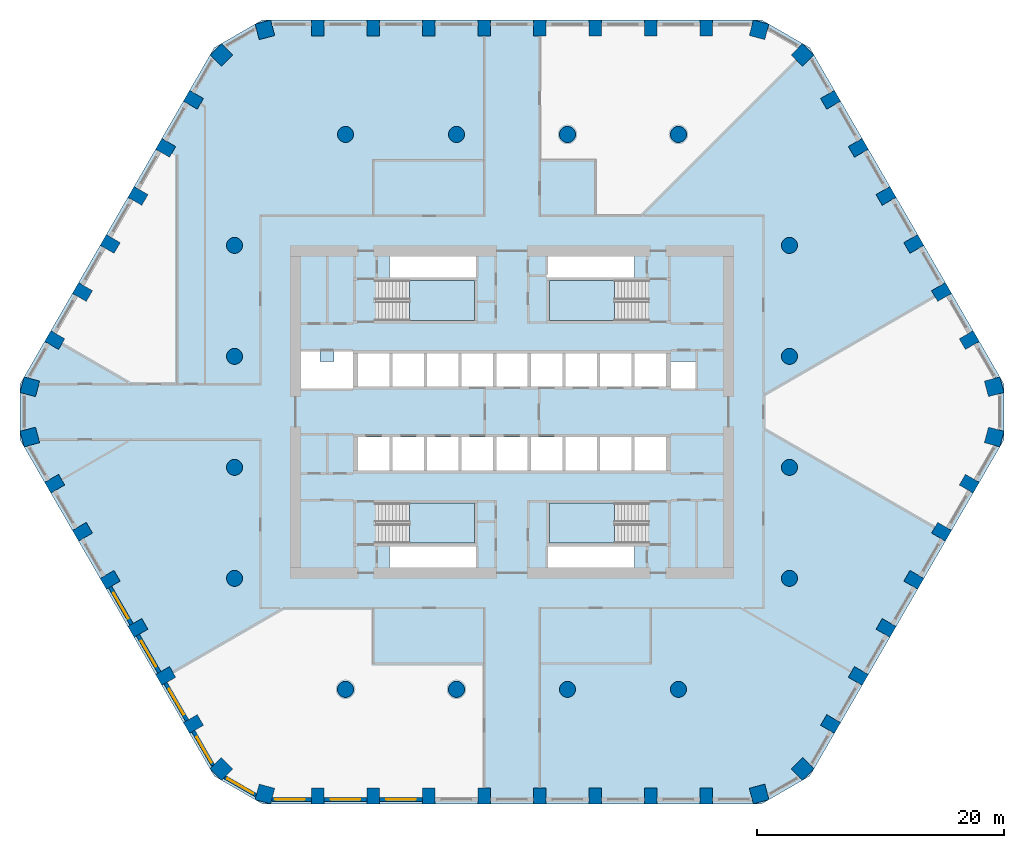
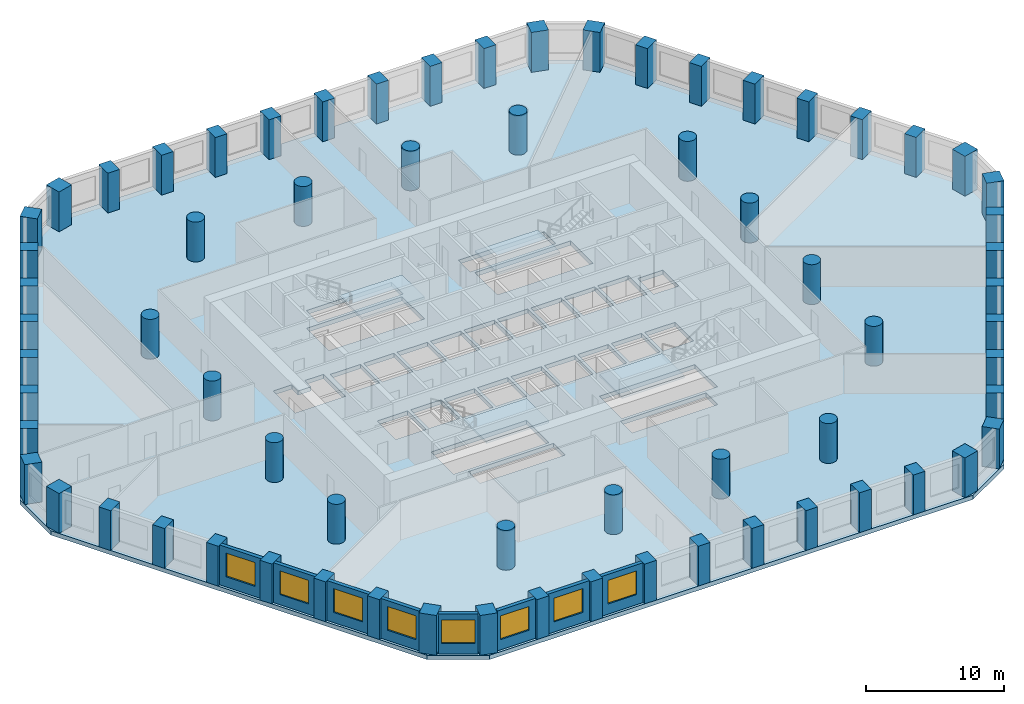
# One storey, part 1 of 14: 68 columns, 8 walls, 8 windows, 5 slabs, 8 openings, 4 elements without a shape of their own.
"""IFC4 building model written with IfcOpenShell, lengths in metres."""

from ifc_helpers import new_model, si_unit, direction, frame, frame_2d, origin, origin_2d, place, context, subcontext, project, spatial, polyline, rectangle, circle, outline, extrude, material, layer, layer_set, material_profile, profile_set, type_object, element, fill, aggregate, save


model = new_model("IFC4")

# Units and contexts
model_context = context("Model", 3, precision=1e-05, world=origin(), true_north=direction((0.0, 1.0)))
body_context = subcontext(model_context, "Body", "Model", "MODEL_VIEW")
ifc_project = project(units=[si_unit("LENGTHUNIT", "METRE"), si_unit("AREAUNIT", "SQUARE_METRE"), si_unit("VOLUMEUNIT", "CUBIC_METRE"), si_unit("PLANEANGLEUNIT", "RADIAN"), si_unit("MASSUNIT", "GRAM", prefix="KILO")], contexts=[model_context])

# Site, building, storey
site_placement = place(None, origin())
site = spatial("IfcSite", under=ifc_project, at=site_placement, CompositionType="ELEMENT")
building_placement = place(site_placement, origin())
building = spatial("IfcBuilding", under=site, at=building_placement, Name="Dhurran Vertical Campus", CompositionType="ELEMENT")
storey_placement = place(building_placement, frame((0.0, 0.0, 96.89990234375)))
storey = spatial("IfcBuildingStorey", under=building, at=storey_placement, Name="L23", CompositionType="ELEMENT", Elevation=96.89990234375)

# Columns
ifc_material_1 = material(Name="Concrete C60/75", Category="concrete")
ifc_material_profile_1 = material_profile(ifc_material_1, rectangle(XDim=1.0, YDim=1.300048828125, at=origin_2d()), Name="RC 1000x1300")
ifc_profile_set_1 = profile_set([ifc_material_profile_1], Name="Concrete C60/75")
column_type_1 = type_object("IfcColumnType", Name="FR COL RC 1000x1300 C60/75", PredefinedType="COLUMN", material=ifc_profile_set_1)
for number, where, z_axis, x_axis, name in (
    (1, (-15.75, -31.1298828125, 0.0), (0.0, 0.0, 1.0), (1.0, 0.0, 0.0), "Perimeter pier PP2.01"),
    (2, (-11.25, -31.1298828125, 0.0), (0.0, 0.0, 1.0), (1.0, 0.0, 0.0), "Perimeter pier PP2.02"),
    (3, (-6.75, -31.1298828125, 0.0), (0.0, 0.0, 1.0), (1.0, 0.0, 0.0), "Perimeter pier PP2.03"),
    (4, (-2.25, -31.1298828125, 0.0), (0.0, 0.0, 1.0), (1.0, 0.0, 0.0), "Perimeter pier PP2.04"),
    (5, (2.25, -31.1298828125, 0.0), (0.0, 0.0, 1.0), (1.0, 0.0, 0.0), "Perimeter pier PP2.05"),
    (6, (6.75, -31.1298828125, 0.0), (0.0, 0.0, 1.0), (1.0, 0.0, 0.0), "Perimeter pier PP2.06"),
    (7, (11.25, -31.1298828125, 0.0), (0.0, 0.0, 1.0), (1.0, 0.0, 0.0), "Perimeter pier PP2.07"),
    (8, (15.75, -31.1298828125, 0.0), (0.0, 0.0, 1.0), (1.0, 0.0, 0.0), "Perimeter pier PP2.08"),
    (9, (25.834228515625, -25.3076171875, 0.0), (0.0, 0.0, 1.0), (0.5, 0.866025403784, 0.0), "Perimeter pier PP2.11"),
    (10, (28.084228515625, -21.41064453125, 0.0), (0.0, 0.0, 1.0), (0.5, 0.866025403784, 0.0), "Perimeter pier PP2.12"),
    (11, (30.334228515625, -17.513427734375, 0.0), (0.0, 0.0, 1.0), (0.5, 0.866025403784, 0.0), "Perimeter pier PP2.13"),
    (12, (32.584228515625, -13.6162109375, 0.0), (0.0, 0.0, 1.0), (0.5, 0.866025403784, 0.0), "Perimeter pier PP2.14"),
    (13, (34.834228515625, -9.71923828125, 0.0), (0.0, 0.0, 1.0), (0.5, 0.866025403784, 0.0), "Perimeter pier PP2.15"),
    (14, (37.084228515625, -5.822021484375, 0.0), (0.0, 0.0, 1.0), (0.5, 0.866025403784, 0.0), "Perimeter pier PP2.16"),
    (15, (37.084228515625, 5.822021484375, 0.0), (0.0, 0.0, 1.0), (-0.5, 0.866025403784, 0.0), "Perimeter pier PP2.19"),
    (16, (34.834228515625, 9.71923828125, 0.0), (0.0, 0.0, 1.0), (-0.5, 0.866025403784, 0.0), "Perimeter pier PP2.20"),
    (17, (32.584228515625, 13.6162109375, 0.0), (0.0, 0.0, 1.0), (-0.5, 0.866025403784, 0.0), "Perimeter pier PP2.21"),
    (18, (30.334228515625, 17.513427734375, 0.0), (0.0, 0.0, 1.0), (-0.5, 0.866025403784, 0.0), "Perimeter pier PP2.22"),
    (19, (28.084228515625, 21.41064453125, 0.0), (0.0, 0.0, 1.0), (-0.5, 0.866025403784, 0.0), "Perimeter pier PP2.23"),
    (20, (25.834228515625, 25.3076171875, 0.0), (0.0, 0.0, 1.0), (-0.5, 0.866025403784, 0.0), "Perimeter pier PP2.24"),
    (21, (15.75, 31.1298828125, 0.0), (0.0, 0.0, 1.0), (-1.0, 0.0, 0.0), "Perimeter pier PP2.27"),
    (22, (11.25, 31.1298828125, 0.0), (0.0, 0.0, 1.0), (-1.0, 0.0, 0.0), "Perimeter pier PP2.28"),
    (23, (6.75, 31.1298828125, 0.0), (0.0, 0.0, 1.0), (-1.0, 0.0, 0.0), "Perimeter pier PP2.29"),
    (24, (2.25, 31.1298828125, 0.0), (0.0, 0.0, 1.0), (-1.0, 0.0, 0.0), "Perimeter pier PP2.30"),
    (25, (-2.25, 31.1298828125, 0.0), (0.0, 0.0, 1.0), (-1.0, 0.0, 0.0), "Perimeter pier PP2.31"),
    (26, (-6.75, 31.1298828125, 0.0), (0.0, 0.0, 1.0), (-1.0, 0.0, 0.0), "Perimeter pier PP2.32"),
    (27, (-11.25, 31.1298828125, 0.0), (0.0, 0.0, 1.0), (-1.0, 0.0, 0.0), "Perimeter pier PP2.33"),
    (28, (-15.75, 31.1298828125, 0.0), (0.0, 0.0, 1.0), (-1.0, 0.0, 0.0), "Perimeter pier PP2.34"),
    (29, (-25.834228515625, 25.3076171875, 0.0), (0.0, 0.0, 1.0), (-0.5, -0.866025403784, 0.0), "Perimeter pier PP2.37"),
    (30, (-28.084228515625, 21.41064453125, 0.0), (0.0, 0.0, 1.0), (-0.5, -0.866025403784, 0.0), "Perimeter pier PP2.38"),
    (31, (-30.334228515625, 17.513427734375, 0.0), (0.0, 0.0, 1.0), (-0.5, -0.866025403784, 0.0), "Perimeter pier PP2.39"),
    (32, (-32.584228515625, 13.6162109375, 0.0), (0.0, 0.0, 1.0), (-0.5, -0.866025403784, 0.0), "Perimeter pier PP2.40"),
    (33, (-34.834228515625, 9.71923828125, 0.0), (0.0, 0.0, 1.0), (-0.5, -0.866025403784, 0.0), "Perimeter pier PP2.41"),
    (34, (-37.084228515625, 5.822021484375, 0.0), (0.0, 0.0, 1.0), (-0.5, -0.866025403784, 0.0), "Perimeter pier PP2.42"),
    (35, (-37.084228515625, -5.822021484375, 0.0), (0.0, 0.0, 1.0), (0.5, -0.866025403784, 0.0), "Perimeter pier PP2.45"),
    (36, (-34.834228515625, -9.71923828125, 0.0), (0.0, 0.0, 1.0), (0.5, -0.866025403784, 0.0), "Perimeter pier PP2.46"),
    (37, (-32.584228515625, -13.6162109375, 0.0), (0.0, 0.0, 1.0), (0.5, -0.866025403784, 0.0), "Perimeter pier PP2.47"),
    (38, (-30.334228515625, -17.513427734375, 0.0), (0.0, 0.0, 1.0), (0.5, -0.866025403784, 0.0), "Perimeter pier PP2.48"),
    (39, (-28.084228515625, -21.41064453125, 0.0), (0.0, 0.0, 1.0), (0.5, -0.866025403784, 0.0), "Perimeter pier PP2.49"),
    (40, (-25.834228515625, -25.3076171875, 0.0), (0.0, 0.0, 1.0), (0.5, -0.866025403784, 0.0), "Perimeter pier PP2.50"),
):
    element("IfcColumn", number, at=place(storey_placement, frame(where, z_axis=z_axis, x_axis=x_axis)), inside=storey, type_object=column_type_1, Name=name, PredefinedType="COLUMN", context=body_context, shape_type="SweptSolid", body=[
        extrude(rectangle(XDim=1.0, YDim=1.300048828125, at=origin_2d()), origin(), (0.0, 0.0, 1.0), 3.525146484375),
    ])
ifc_material_2 = material(Name="Concrete C60/75", Category="concrete")
ifc_material_profile_2 = material_profile(ifc_material_2, rectangle(XDim=1.300048828125, YDim=1.300048828125, at=origin_2d()), Name="RC 1300x1300")
ifc_profile_set_2 = profile_set([ifc_material_profile_2], Name="Concrete C60/75")
column_type_2 = type_object("IfcColumnType", Name="FR COL RC 1300x1300 C60/75", PredefinedType="COLUMN", material=ifc_profile_set_2)
for number, where, z_axis, x_axis, name in (
    (41, (-20.03662109375, -30.983642578125, 0.0), (0.0, 0.0, 1.0), (0.965925826289, -0.258819045103, 0.0), "Perimeter pier PP2.00"),
    (42, (20.03662109375, -30.983642578125, 0.0), (0.0, 0.0, 1.0), (0.965925826289, 0.258819045103, 0.0), "Perimeter pier PP2.09"),
    (43, (23.564208984375, -28.947021484375, 0.0), (0.0, 0.0, 1.0), (0.707106781187, 0.707106781187, 0.0), "Perimeter pier PP2.10"),
    (44, (39.10107421875, -2.03662109375, 0.0), (0.0, 0.0, 1.0), (0.258819045103, 0.965925826289, 0.0), "Perimeter pier PP2.17"),
    (45, (39.10107421875, 2.03662109375, 0.0), (0.0, 0.0, 1.0), (-0.258819045103, 0.965925826289, 0.0), "Perimeter pier PP2.18"),
    (46, (23.564208984375, 28.947021484375, 0.0), (0.0, 0.0, 1.0), (-0.707106781187, 0.707106781187, 0.0), "Perimeter pier PP2.25"),
    (47, (20.03662109375, 30.983642578125, 0.0), (0.0, 0.0, 1.0), (-0.965925826289, 0.258819045103, 0.0), "Perimeter pier PP2.26"),
    (48, (-20.03662109375, 30.983642578125, 0.0), (0.0, 0.0, 1.0), (-0.965925826289, -0.258819045103, 0.0), "Perimeter pier PP2.35"),
    (49, (-23.564208984375, 28.947021484375, 0.0), (0.0, 0.0, 1.0), (-0.707106781187, -0.707106781187, 0.0), "Perimeter pier PP2.36"),
    (50, (-39.10107421875, 2.03662109375, 0.0), (0.0, 0.0, 1.0), (-0.258819045103, -0.965925826289, 0.0), "Perimeter pier PP2.43"),
    (51, (-39.10107421875, -2.03662109375, 0.0), (0.0, 0.0, 1.0), (0.258819045103, -0.965925826289, 0.0), "Perimeter pier PP2.44"),
    (52, (-23.564208984375, -28.947021484375, 0.0), (0.0, 0.0, 1.0), (0.707106781187, -0.707106781187, 0.0), "Perimeter pier PP2.51"),
):
    element("IfcColumn", number, at=place(storey_placement, frame(where, z_axis=z_axis, x_axis=x_axis)), inside=storey, type_object=column_type_2, Name=name, PredefinedType="COLUMN", context=body_context, shape_type="SweptSolid", body=[
        extrude(rectangle(XDim=1.300048828125, YDim=1.300048828125, at=origin_2d()), origin(), (0.0, 0.0, 1.0), 3.525146484375),
    ])
ifc_material_3 = material(Name="Concrete C60/75", Category="concrete")
ifc_material_profile_3 = material_profile(ifc_material_3, circle(Radius=0.64990234375, at=origin_2d()), Name="RCC D1300")
ifc_profile_set_3 = profile_set([ifc_material_profile_3], Name="Concrete C60/75")
column_type_3 = type_object("IfcColumnType", Name="FR COL RCC D1300 C60/75", PredefinedType="COLUMN", material=ifc_profile_set_3)
for number, where, z_axis, x_axis, name in (
    (53, (-22.5, -13.5, 0.0), (0.0, 0.0, 1.0), (1.0, 0.0, 0.0), "Inner column IC2-D4"),
    (54, (-22.5, -4.5, 0.0), (0.0, 0.0, 1.0), (1.0, 0.0, 0.0), "Inner column IC2-D5"),
    (55, (-22.5, 4.5, 0.0), (0.0, 0.0, 1.0), (1.0, 0.0, 0.0), "Inner column IC2-D6"),
    (56, (-22.5, 13.5, 0.0), (0.0, 0.0, 1.0), (1.0, 0.0, 0.0), "Inner column IC2-D7"),
    (57, (-13.5, -22.5, 0.0), (0.0, 0.0, 1.0), (1.0, 0.0, 0.0), "Inner column IC2-E3"),
    (58, (-13.5, 22.5, 0.0), (0.0, 0.0, 1.0), (1.0, 0.0, 0.0), "Inner column IC2-E8"),
    (59, (-4.5, -22.5, 0.0), (0.0, 0.0, 1.0), (1.0, 0.0, 0.0), "Inner column IC2-F3"),
    (60, (-4.5, 22.5, 0.0), (0.0, 0.0, 1.0), (1.0, 0.0, 0.0), "Inner column IC2-F8"),
    (61, (4.5, -22.5, 0.0), (0.0, 0.0, 1.0), (1.0, 0.0, 0.0), "Inner column IC2-G3"),
    (62, (4.5, 22.5, 0.0), (0.0, 0.0, 1.0), (1.0, 0.0, 0.0), "Inner column IC2-G8"),
    (63, (13.5, -22.5, 0.0), (0.0, 0.0, 1.0), (1.0, 0.0, 0.0), "Inner column IC2-H3"),
    (64, (13.5, 22.5, 0.0), (0.0, 0.0, 1.0), (1.0, 0.0, 0.0), "Inner column IC2-H8"),
    (65, (22.5, -13.5, 0.0), (0.0, 0.0, 1.0), (1.0, 0.0, 0.0), "Inner column IC2-J4"),
    (66, (22.5, -4.5, 0.0), (0.0, 0.0, 1.0), (1.0, 0.0, 0.0), "Inner column IC2-J5"),
    (67, (22.5, 4.5, 0.0), (0.0, 0.0, 1.0), (1.0, 0.0, 0.0), "Inner column IC2-J6"),
    (68, (22.5, 13.5, 0.0), (0.0, 0.0, 1.0), (1.0, 0.0, 0.0), "Inner column IC2-J7"),
):
    element("IfcColumn", number, at=place(storey_placement, frame(where, z_axis=z_axis, x_axis=x_axis)), inside=storey, type_object=column_type_3, Name=name, PredefinedType="COLUMN", context=body_context, shape_type="SweptSolid", body=[
        extrude(circle(Radius=0.64990234375, at=origin_2d()), origin(), (0.0, 0.0, 1.0), 3.525146484375),
    ])

# Slab
ifc_material_4 = material(Name="Concrete C40/50", Category="concrete")
ifc_layer_1 = layer(ifc_material_4, 0.375)
ifc_layer_set_1 = layer_set([ifc_layer_1], Name="Concrete C40/50")
slab_type_1 = type_object("IfcSlabType", Name="FR POST-TENSIONED FLAT SLAB 375", PredefinedType="FLOOR", material=ifc_layer_set_1)
slab_1_placement = place(storey_placement, frame((0.0, 0.0, -0.375)))
element("IfcSlab", 69, at=slab_1_placement, inside=storey, type_object=slab_type_1, Name="Floor slab L23", PredefinedType="FLOOR", context=body_context, shape_type="SweptSolid", body=[
    extrude(outline(polyline([(-20.25, -31.77978515625), (20.25, -31.77978515625), (24.147216796875, -29.52978515625), (39.897216796875, -2.25), (39.897216796875, 2.25), (24.147216796875, 29.52978515625), (20.25, 31.77978515625), (-20.25, 31.77978515625), (-24.147216796875, 29.52978515625), (-39.897216796875, 2.25), (-39.897216796875, -2.25), (-24.147216796875, -29.52978515625), (-20.25, -31.77978515625)]), holes=[polyline([(-12.47509765625, 2.050048828125), (-9.925048828125, 2.050048828125), (-9.925048828125, 4.75), (-12.47509765625, 4.75), (-12.47509765625, 2.050048828125)]), polyline([(-9.675048828125, 2.050048828125), (-7.125, 2.050048828125), (-7.125, 4.75), (-9.675048828125, 4.75), (-9.675048828125, 2.050048828125)]), polyline([(-6.875, 2.050048828125), (-4.324951171875, 2.050048828125), (-4.324951171875, 4.75), (-6.875, 4.75), (-6.875, 2.050048828125)]), polyline([(-1.27490234375, 2.050048828125), (1.27490234375, 2.050048828125), (1.27490234375, 4.75), (-1.27490234375, 4.75), (-1.27490234375, 2.050048828125)]), polyline([(9.925048828125, 2.050048828125), (12.47509765625, 2.050048828125), (12.47509765625, 4.75), (9.925048828125, 4.75), (9.925048828125, 2.050048828125)]), polyline([(-1.27490234375, -4.75), (1.27490234375, -4.75), (1.27490234375, -2.050048828125), (-1.27490234375, -2.050048828125), (-1.27490234375, -4.75)]), polyline([(1.52490234375, -4.75), (4.074951171875, -4.75), (4.074951171875, -2.050048828125), (1.52490234375, -2.050048828125), (1.52490234375, -4.75)]), polyline([(4.324951171875, -4.75), (6.875, -4.75), (6.875, -2.050048828125), (4.324951171875, -2.050048828125), (4.324951171875, -4.75)]), polyline([(7.125, -4.75), (9.675048828125, -4.75), (9.675048828125, -2.050048828125), (7.125, -2.050048828125), (7.125, -4.75)]), polyline([(9.925048828125, -4.75), (12.47509765625, -4.75), (12.47509765625, -2.050048828125), (9.925048828125, -2.050048828125), (9.925048828125, -4.75)]), polyline([(-4.074951171875, 2.050048828125), (-1.52490234375, 2.050048828125), (-1.52490234375, 4.75), (-4.074951171875, 4.75), (-4.074951171875, 2.050048828125)]), polyline([(1.52490234375, 2.050048828125), (4.074951171875, 2.050048828125), (4.074951171875, 4.75), (1.52490234375, 4.75), (1.52490234375, 2.050048828125)]), polyline([(4.324951171875, 2.050048828125), (6.875, 2.050048828125), (6.875, 4.75), (4.324951171875, 4.75), (4.324951171875, 2.050048828125)]), polyline([(7.125, 2.050048828125), (9.675048828125, 2.050048828125), (9.675048828125, 4.75), (7.125, 4.75), (7.125, 2.050048828125)]), polyline([(-12.47509765625, -4.75), (-9.925048828125, -4.75), (-9.925048828125, -2.050048828125), (-12.47509765625, -2.050048828125), (-12.47509765625, -4.75)]), polyline([(-9.675048828125, -4.75), (-7.125, -4.75), (-7.125, -2.050048828125), (-9.675048828125, -2.050048828125), (-9.675048828125, -4.75)]), polyline([(-6.875, -4.75), (-4.324951171875, -4.75), (-4.324951171875, -2.050048828125), (-6.875, -2.050048828125), (-6.875, -4.75)]), polyline([(-4.074951171875, -4.75), (-1.52490234375, -4.75), (-1.52490234375, -2.050048828125), (-4.074951171875, -2.050048828125), (-4.074951171875, -4.75)]), polyline([(-11.050048828125, 7.39990234375), (-3.050048828125, 7.39990234375), (-3.050048828125, 10.64990234375), (-11.050048828125, 10.64990234375), (-11.050048828125, 7.39990234375)]), polyline([(3.050048828125, 7.39990234375), (11.050048828125, 7.39990234375), (11.050048828125, 10.64990234375), (3.050048828125, 10.64990234375), (3.050048828125, 7.39990234375)]), polyline([(-11.050048828125, -10.64990234375), (-3.050048828125, -10.64990234375), (-3.050048828125, -7.39990234375), (-11.050048828125, -7.39990234375), (-11.050048828125, -10.64990234375)]), polyline([(3.050048828125, -10.64990234375), (11.050048828125, -10.64990234375), (11.050048828125, -7.39990234375), (3.050048828125, -7.39990234375), (3.050048828125, -10.64990234375)]), polyline([(-9.949951171875, 10.89990234375), (-9.949951171875, 12.60009765625), (-2.800048828125, 12.60009765625), (-2.800048828125, 10.89990234375), (-9.949951171875, 10.89990234375)]), polyline([(9.949951171875, 12.60009765625), (9.949951171875, 10.89990234375), (2.800048828125, 10.89990234375), (2.800048828125, 12.60009765625), (9.949951171875, 12.60009765625)]), polyline([(-9.949951171875, -12.60009765625), (-9.949951171875, -10.89990234375), (-2.800048828125, -10.89990234375), (-2.800048828125, -12.60009765625), (-9.949951171875, -12.60009765625)]), polyline([(9.949951171875, -10.89990234375), (9.949951171875, -12.60009765625), (2.800048828125, -12.60009765625), (2.800048828125, -10.89990234375), (9.949951171875, -10.89990234375)]), polyline([(-17.10009765625, 1.800048828125), (-17.10009765625, 5.0), (-15.550048828125, 5.0), (-15.550048828125, 4.10009765625), (-14.449951171875, 4.10009765625), (-14.449951171875, 5.0), (-12.89990234375, 5.0), (-12.89990234375, 1.800048828125), (-17.10009765625, 1.800048828125)]), polyline([(12.89990234375, 4.10009765625), (15.0, 4.10009765625), (15.0, 1.800048828125), (12.89990234375, 1.800048828125), (12.89990234375, 4.10009765625)])]), origin(), (0.0, 0.0, 1.0), 0.375),
])

# Stair, slab
ifc_material_5 = material(Name="Concrete C40/50", Category="concrete")
stair_type = type_object("IfcStairType", Name="co-ST-CORE", PredefinedType="HALF_TURN_STAIR", material=ifc_material_5)
stair_1_placement = place(storey_placement, origin())
stair_1 = element("IfcStair", 70, at=stair_1_placement, inside=storey, type_object=stair_type, Name="L23 Protected exit stair ST1", PredefinedType="HALF_TURN_STAIR")
ifc_material_6 = material(Name="Concrete C40/50", Category="concrete")
ifc_layer_2 = layer(ifc_material_6, 0.199951171875)
ifc_layer_set_2 = layer_set([ifc_layer_2], Name="Concrete C40/50")
slab_type_2 = type_object("IfcSlabType", Name="co-SL-LANDING", PredefinedType="LANDING", material=ifc_layer_set_2)
slab_2_placement = place(storey_placement, frame((0.0, 0.0, 1.75)))
slab_2 = element("IfcSlab", 71, at=slab_2_placement, type_object=slab_type_2, Name="ST1 landing 1", PredefinedType="LANDING", context=body_context, shape_type="SweptSolid", body=[
    extrude(outline(polyline([(-8.300048828125, 7.39990234375), (-3.050048828125, 7.39990234375), (-3.050048828125, 10.64990234375), (-8.300048828125, 10.64990234375), (-8.300048828125, 7.39990234375)])), origin(), (0.0, 0.0, 1.0), 0.2001953125),
])
aggregate(stair_1, [slab_2])

stair_2_placement = place(storey_placement, origin())
stair_2 = element("IfcStair", 72, at=stair_2_placement, inside=storey, type_object=stair_type, Name="L23 Protected exit stair ST2", PredefinedType="HALF_TURN_STAIR")
slab_3_placement = place(storey_placement, frame((0.0, 0.0, 1.75)))
slab_3 = element("IfcSlab", 73, at=slab_3_placement, type_object=slab_type_2, Name="ST2 landing 1", PredefinedType="LANDING", context=body_context, shape_type="SweptSolid", body=[
    extrude(outline(polyline([(8.300048828125, 10.64990234375), (3.050048828125, 10.64990234375), (3.050048828125, 7.39990234375), (8.300048828125, 7.39990234375), (8.300048828125, 10.64990234375)])), origin(), (0.0, 0.0, 1.0), 0.2001953125),
])
aggregate(stair_2, [slab_3])

stair_3_placement = place(storey_placement, origin())
stair_3 = element("IfcStair", 74, at=stair_3_placement, inside=storey, type_object=stair_type, Name="L23 Protected exit stair ST3", PredefinedType="HALF_TURN_STAIR")
slab_4_placement = place(storey_placement, frame((0.0, 0.0, 1.75)))
slab_4 = element("IfcSlab", 75, at=slab_4_placement, type_object=slab_type_2, Name="ST3 landing 1", PredefinedType="LANDING", context=body_context, shape_type="SweptSolid", body=[
    extrude(outline(polyline([(-8.300048828125, -10.64990234375), (-3.050048828125, -10.64990234375), (-3.050048828125, -7.39990234375), (-8.300048828125, -7.39990234375), (-8.300048828125, -10.64990234375)])), origin(), (0.0, 0.0, 1.0), 0.2001953125),
])
aggregate(stair_3, [slab_4])

stair_4_placement = place(storey_placement, origin())
stair_4 = element("IfcStair", 76, at=stair_4_placement, inside=storey, type_object=stair_type, Name="L23 Protected exit stair ST4", PredefinedType="HALF_TURN_STAIR")
slab_5_placement = place(storey_placement, frame((0.0, 0.0, 1.75)))
slab_5 = element("IfcSlab", 77, at=slab_5_placement, type_object=slab_type_2, Name="ST4 landing 1", PredefinedType="LANDING", context=body_context, shape_type="SweptSolid", body=[
    extrude(outline(polyline([(8.300048828125, -7.39990234375), (3.050048828125, -7.39990234375), (3.050048828125, -10.64990234375), (8.300048828125, -10.64990234375), (8.300048828125, -7.39990234375)])), origin(), (0.0, 0.0, 1.0), 0.2001953125),
])
aggregate(stair_4, [slab_5])

# Wall, opening, window
ifc_material_7 = material(Name="Precast concrete C50/60", Category="concrete")
ifc_layer_3 = layer(ifc_material_7, 0.300048828125)
ifc_layer_set_3 = layer_set([ifc_layer_3], Name="Precast concrete C50/60")
wall_type = type_object("IfcWallType", Name="Precast spandrel wall 300", PredefinedType="SOLIDWALL", material=ifc_layer_set_3)
wall_1_placement = place(storey_placement, frame((-19.44287109375, -31.4296875, 0.0), z_axis=(0.0, 0.0, 1.0), x_axis=(1.0, 0.0, 0.0)))
wall_1 = element("IfcWall", 78, at=wall_1_placement, inside=storey, type_object=wall_type, Name="EW1 L23.00", PredefinedType="SOLIDWALL", context=body_context, shape_type="SweptSolid", body=[
    extrude(rectangle(XDim=3.1923828125, YDim=0.300048828125, at=frame_2d((1.59619140625, 0.0))), origin(), (0.0, 0.0, 1.0), 3.525146484375),
])
opening_1_placement = place(wall_1_placement, frame((0.242919921875, 0.0, 0.89990234375)))
opening_1 = element("IfcOpeningElement", 79, at=opening_1_placement, cuts=wall_1, Name="Opening WT1", PredefinedType="OPENING", context=body_context, shape_type="SweptSolid", body=[
    extrude(rectangle(XDim=2.39990234375, YDim=2.10009765625, at=frame_2d((1.199951171875, 1.050048828125))), frame((0.0, 0.159912109375, 0.0), z_axis=(0.0, -1.0, 0.0), x_axis=(1.0, 0.0, 0.0)), (0.0, 0.0, 1.0), 0.320068359375),
])
ifc_material_8 = material(Name="Aluminium frame with solar-control glass", Category="aluminium")
window_type = type_object("IfcWindowType", Name="Punched window 2400 x 2100", PartitioningType="SINGLE_PANEL", PredefinedType="WINDOW", material=ifc_material_8)
window_1_placement = place(opening_1_placement, origin())
window_1 = element("IfcWindow", 80, at=window_1_placement, inside=storey, type_object=window_type, Name="WT1 L23.00", OverallHeight=2.10009765625, OverallWidth=2.39990234375, PartitioningType="SINGLE_PANEL", PredefinedType="WINDOW", context=body_context, shape_type="SweptSolid", body=[
    extrude(rectangle(XDim=2.39990234375, YDim=2.10009765625, at=frame_2d((1.199951171875, 1.050048828125))), frame((0.0, 0.030029296875, 0.0), z_axis=(0.0, -1.0, 0.0), x_axis=(1.0, 0.0, 0.0)), (0.0, 0.0, 1.0), 0.06005859375),
])
fill(opening_1, window_1)

wall_2_placement = place(storey_placement, frame((-15.24951171875, -31.4296875, 0.0), z_axis=(0.0, 0.0, 1.0), x_axis=(1.0, 0.0, 0.0)))
wall_2 = element("IfcWall", 81, at=wall_2_placement, inside=storey, type_object=wall_type, Name="EW1 L23.01", PredefinedType="SOLIDWALL", context=body_context, shape_type="SweptSolid", body=[
    extrude(rectangle(XDim=3.4990234375, YDim=0.300048828125, at=frame_2d((1.74951171875, 0.0))), origin(), (0.0, 0.0, 1.0), 3.525146484375),
])
opening_2_placement = place(wall_2_placement, frame((0.549560546875, 0.0, 0.89990234375)))
opening_2 = element("IfcOpeningElement", 82, at=opening_2_placement, cuts=wall_2, Name="Opening WT1", PredefinedType="OPENING", context=body_context, shape_type="SweptSolid", body=[
    extrude(rectangle(XDim=2.39990234375, YDim=2.10009765625, at=frame_2d((1.199951171875, 1.050048828125))), frame((0.0, 0.159912109375, 0.0), z_axis=(0.0, -1.0, 0.0), x_axis=(1.0, 0.0, 0.0)), (0.0, 0.0, 1.0), 0.320068359375),
])
window_2_placement = place(opening_2_placement, origin())
window_2 = element("IfcWindow", 83, at=window_2_placement, inside=storey, type_object=window_type, Name="WT1 L23.01", OverallHeight=2.10009765625, OverallWidth=2.39990234375, PartitioningType="SINGLE_PANEL", PredefinedType="WINDOW", context=body_context, shape_type="SweptSolid", body=[
    extrude(rectangle(XDim=2.39990234375, YDim=2.10009765625, at=frame_2d((1.199951171875, 1.050048828125))), frame((0.0, 0.030029296875, 0.0), z_axis=(0.0, -1.0, 0.0), x_axis=(1.0, 0.0, 0.0)), (0.0, 0.0, 1.0), 0.06005859375),
])
fill(opening_2, window_2)

wall_3_placement = place(storey_placement, frame((-10.74951171875, -31.4296875, 0.0), z_axis=(0.0, 0.0, 1.0), x_axis=(1.0, 0.0, 0.0)))
wall_3 = element("IfcWall", 84, at=wall_3_placement, inside=storey, type_object=wall_type, Name="EW1 L23.02", PredefinedType="SOLIDWALL", context=body_context, shape_type="SweptSolid", body=[
    extrude(rectangle(XDim=3.4990234375, YDim=0.300048828125, at=frame_2d((1.74951171875, 0.0))), origin(), (0.0, 0.0, 1.0), 3.525146484375),
])
opening_3_placement = place(wall_3_placement, frame((0.549560546875, 0.0, 0.89990234375)))
opening_3 = element("IfcOpeningElement", 85, at=opening_3_placement, cuts=wall_3, Name="Opening WT1", PredefinedType="OPENING", context=body_context, shape_type="SweptSolid", body=[
    extrude(rectangle(XDim=2.39990234375, YDim=2.10009765625, at=frame_2d((1.199951171875, 1.050048828125))), frame((0.0, 0.159912109375, 0.0), z_axis=(0.0, -1.0, 0.0), x_axis=(1.0, 0.0, 0.0)), (0.0, 0.0, 1.0), 0.320068359375),
])
window_3_placement = place(opening_3_placement, origin())
window_3 = element("IfcWindow", 86, at=window_3_placement, inside=storey, type_object=window_type, Name="WT1 L23.02", OverallHeight=2.10009765625, OverallWidth=2.39990234375, PartitioningType="SINGLE_PANEL", PredefinedType="WINDOW", context=body_context, shape_type="SweptSolid", body=[
    extrude(rectangle(XDim=2.39990234375, YDim=2.10009765625, at=frame_2d((1.199951171875, 1.050048828125))), frame((0.0, 0.030029296875, 0.0), z_axis=(0.0, -1.0, 0.0), x_axis=(1.0, 0.0, 0.0)), (0.0, 0.0, 1.0), 0.06005859375),
])
fill(opening_3, window_3)

wall_4_placement = place(storey_placement, frame((-32.59375, -14.19970703125, 0.0), z_axis=(0.0, 0.0, 1.0), x_axis=(0.499996256241, -0.866027565234, 0.0)))
wall_4 = element("IfcWall", 87, at=wall_4_placement, inside=storey, type_object=wall_type, Name="EW1 L23.47", PredefinedType="SOLIDWALL", context=body_context, shape_type="SweptSolid", body=[
    extrude(rectangle(XDim=3.4990234375, YDim=0.300048828125, at=frame_2d((1.74951171875, 0.0))), origin(), (0.0, 0.0, 1.0), 3.525146484375),
])
opening_4_placement = place(wall_4_placement, frame((0.549560546875, 0.0, 0.89990234375)))
opening_4 = element("IfcOpeningElement", 88, at=opening_4_placement, cuts=wall_4, Name="Opening WT1", PredefinedType="OPENING", context=body_context, shape_type="SweptSolid", body=[
    extrude(rectangle(XDim=2.39990234375, YDim=2.10009765625, at=frame_2d((1.199951171875, 1.050048828125))), frame((0.0, 0.159912109375, 0.0), z_axis=(0.0, -1.0, 0.0), x_axis=(1.0, 0.0, 0.0)), (0.0, 0.0, 1.0), 0.320068359375),
])
window_4_placement = place(opening_4_placement, origin())
window_4 = element("IfcWindow", 89, at=window_4_placement, inside=storey, type_object=window_type, Name="WT1 L23.47", OverallHeight=2.10009765625, OverallWidth=2.39990234375, PartitioningType="SINGLE_PANEL", PredefinedType="WINDOW", context=body_context, shape_type="SweptSolid", body=[
    extrude(rectangle(XDim=2.39990234375, YDim=2.10009765625, at=frame_2d((1.199951171875, 1.050048828125))), frame((0.0, 0.030029296875, 0.0), z_axis=(0.0, -1.0, 0.0), x_axis=(1.0, 0.0, 0.0)), (0.0, 0.0, 1.0), 0.06005859375),
])
fill(opening_4, window_4)

wall_5_placement = place(storey_placement, frame((-30.34375, -18.096923828125, 0.0), z_axis=(0.0, 0.0, 1.0), x_axis=(0.499996256241, -0.866027565234, 0.0)))
wall_5 = element("IfcWall", 90, at=wall_5_placement, inside=storey, type_object=wall_type, Name="EW1 L23.48", PredefinedType="SOLIDWALL", context=body_context, shape_type="SweptSolid", body=[
    extrude(rectangle(XDim=3.4990234375, YDim=0.300048828125, at=frame_2d((1.74951171875, 0.0))), origin(), (0.0, 0.0, 1.0), 3.525146484375),
])
opening_5_placement = place(wall_5_placement, frame((0.549560546875, 0.0, 0.89990234375)))
opening_5 = element("IfcOpeningElement", 91, at=opening_5_placement, cuts=wall_5, Name="Opening WT1", PredefinedType="OPENING", context=body_context, shape_type="SweptSolid", body=[
    extrude(rectangle(XDim=2.39990234375, YDim=2.10009765625, at=frame_2d((1.199951171875, 1.050048828125))), frame((0.0, 0.159912109375, 0.0), z_axis=(0.0, -1.0, 0.0), x_axis=(1.0, 0.0, 0.0)), (0.0, 0.0, 1.0), 0.320068359375),
])
window_5_placement = place(opening_5_placement, origin())
window_5 = element("IfcWindow", 92, at=window_5_placement, inside=storey, type_object=window_type, Name="WT1 L23.48", OverallHeight=2.10009765625, OverallWidth=2.39990234375, PartitioningType="SINGLE_PANEL", PredefinedType="WINDOW", context=body_context, shape_type="SweptSolid", body=[
    extrude(rectangle(XDim=2.39990234375, YDim=2.10009765625, at=frame_2d((1.199951171875, 1.050048828125))), frame((0.0, 0.030029296875, 0.0), z_axis=(0.0, -1.0, 0.0), x_axis=(1.0, 0.0, 0.0)), (0.0, 0.0, 1.0), 0.06005859375),
])
fill(opening_5, window_5)

wall_6_placement = place(storey_placement, frame((-28.09375, -21.993896484375, 0.0), z_axis=(0.0, 0.0, 1.0), x_axis=(0.499996256241, -0.866027565234, 0.0)))
wall_6 = element("IfcWall", 93, at=wall_6_placement, inside=storey, type_object=wall_type, Name="EW1 L23.49", PredefinedType="SOLIDWALL", context=body_context, shape_type="SweptSolid", body=[
    extrude(rectangle(XDim=3.4990234375, YDim=0.300048828125, at=frame_2d((1.74951171875, 0.0))), origin(), (0.0, 0.0, 1.0), 3.525146484375),
])
opening_6_placement = place(wall_6_placement, frame((0.549560546875, 0.0, 0.89990234375)))
opening_6 = element("IfcOpeningElement", 94, at=opening_6_placement, cuts=wall_6, Name="Opening WT1", PredefinedType="OPENING", context=body_context, shape_type="SweptSolid", body=[
    extrude(rectangle(XDim=2.39990234375, YDim=2.10009765625, at=frame_2d((1.199951171875, 1.050048828125))), frame((0.0, 0.159912109375, 0.0), z_axis=(0.0, -1.0, 0.0), x_axis=(1.0, 0.0, 0.0)), (0.0, 0.0, 1.0), 0.320068359375),
])
window_6_placement = place(opening_6_placement, origin())
window_6 = element("IfcWindow", 95, at=window_6_placement, inside=storey, type_object=window_type, Name="WT1 L23.49", OverallHeight=2.10009765625, OverallWidth=2.39990234375, PartitioningType="SINGLE_PANEL", PredefinedType="WINDOW", context=body_context, shape_type="SweptSolid", body=[
    extrude(rectangle(XDim=2.39990234375, YDim=2.10009765625, at=frame_2d((1.199951171875, 1.050048828125))), frame((0.0, 0.030029296875, 0.0), z_axis=(0.0, -1.0, 0.0), x_axis=(1.0, 0.0, 0.0)), (0.0, 0.0, 1.0), 0.06005859375),
])
fill(opening_6, window_6)

wall_7_placement = place(storey_placement, frame((-25.84375, -25.89111328125, 0.0), z_axis=(0.0, 0.0, 1.0), x_axis=(0.500004907028, -0.866022570692, 0.0)))
wall_7 = element("IfcWall", 96, at=wall_7_placement, inside=storey, type_object=wall_type, Name="EW1 L23.50", PredefinedType="SOLIDWALL", context=body_context, shape_type="SweptSolid", body=[
    extrude(rectangle(XDim=3.1923828125, YDim=0.300048828125, at=frame_2d((1.59619140625, 0.0))), origin(), (0.0, 0.0, 1.0), 3.525146484375),
])
opening_7_placement = place(wall_7_placement, frame((0.549560546875, 0.0, 0.89990234375)))
opening_7 = element("IfcOpeningElement", 97, at=opening_7_placement, cuts=wall_7, Name="Opening WT1", PredefinedType="OPENING", context=body_context, shape_type="SweptSolid", body=[
    extrude(rectangle(XDim=2.39990234375, YDim=2.10009765625, at=frame_2d((1.199951171875, 1.050048828125))), frame((0.0, 0.159912109375, 0.0), z_axis=(0.0, -1.0, 0.0), x_axis=(1.0, 0.0, 0.0)), (0.0, 0.0, 1.0), 0.320068359375),
])
window_7_placement = place(opening_7_placement, origin())
window_7 = element("IfcWindow", 98, at=window_7_placement, inside=storey, type_object=window_type, Name="WT1 L23.50", OverallHeight=2.10009765625, OverallWidth=2.39990234375, PartitioningType="SINGLE_PANEL", PredefinedType="WINDOW", context=body_context, shape_type="SweptSolid", body=[
    extrude(rectangle(XDim=2.39990234375, YDim=2.10009765625, at=frame_2d((1.199951171875, 1.050048828125))), frame((0.0, 0.030029296875, 0.0), z_axis=(0.0, -1.0, 0.0), x_axis=(1.0, 0.0, 0.0)), (0.0, 0.0, 1.0), 0.06005859375),
])
fill(opening_7, window_7)

wall_8_placement = place(storey_placement, frame((-23.273193359375, -29.63037109375, 0.0), z_axis=(0.0, 0.0, 1.0), x_axis=(0.866053149362, -0.49995194017, 0.0)))
wall_8 = element("IfcWall", 99, at=wall_8_placement, inside=storey, type_object=wall_type, Name="EW1 L23.51", PredefinedType="SOLIDWALL", context=body_context, shape_type="SweptSolid", body=[
    extrude(rectangle(XDim=2.885498046875, YDim=0.300048828125, at=frame_2d((1.44287109375, 0.0))), origin(), (0.0, 0.0, 1.0), 3.525146484375),
])
opening_8_placement = place(wall_8_placement, frame((0.242919921875, 0.0, 0.89990234375)))
opening_8 = element("IfcOpeningElement", 100, at=opening_8_placement, cuts=wall_8, Name="Opening WT1", PredefinedType="OPENING", context=body_context, shape_type="SweptSolid", body=[
    extrude(rectangle(XDim=2.39990234375, YDim=2.10009765625, at=frame_2d((1.199951171875, 1.050048828125))), frame((0.0, 0.159912109375, 0.0), z_axis=(0.0, -1.0, 0.0), x_axis=(1.0, 0.0, 0.0)), (0.0, 0.0, 1.0), 0.320068359375),
])
window_8_placement = place(opening_8_placement, origin())
window_8 = element("IfcWindow", 101, at=window_8_placement, inside=storey, type_object=window_type, Name="WT1 L23.51", OverallHeight=2.10009765625, OverallWidth=2.39990234375, PartitioningType="SINGLE_PANEL", PredefinedType="WINDOW", context=body_context, shape_type="SweptSolid", body=[
    extrude(rectangle(XDim=2.39990234375, YDim=2.10009765625, at=frame_2d((1.199951171875, 1.050048828125))), frame((0.0, 0.030029296875, 0.0), z_axis=(0.0, -1.0, 0.0), x_axis=(1.0, 0.0, 0.0)), (0.0, 0.0, 1.0), 0.06005859375),
])
fill(opening_8, window_8)

save(model, "model.ifc")
